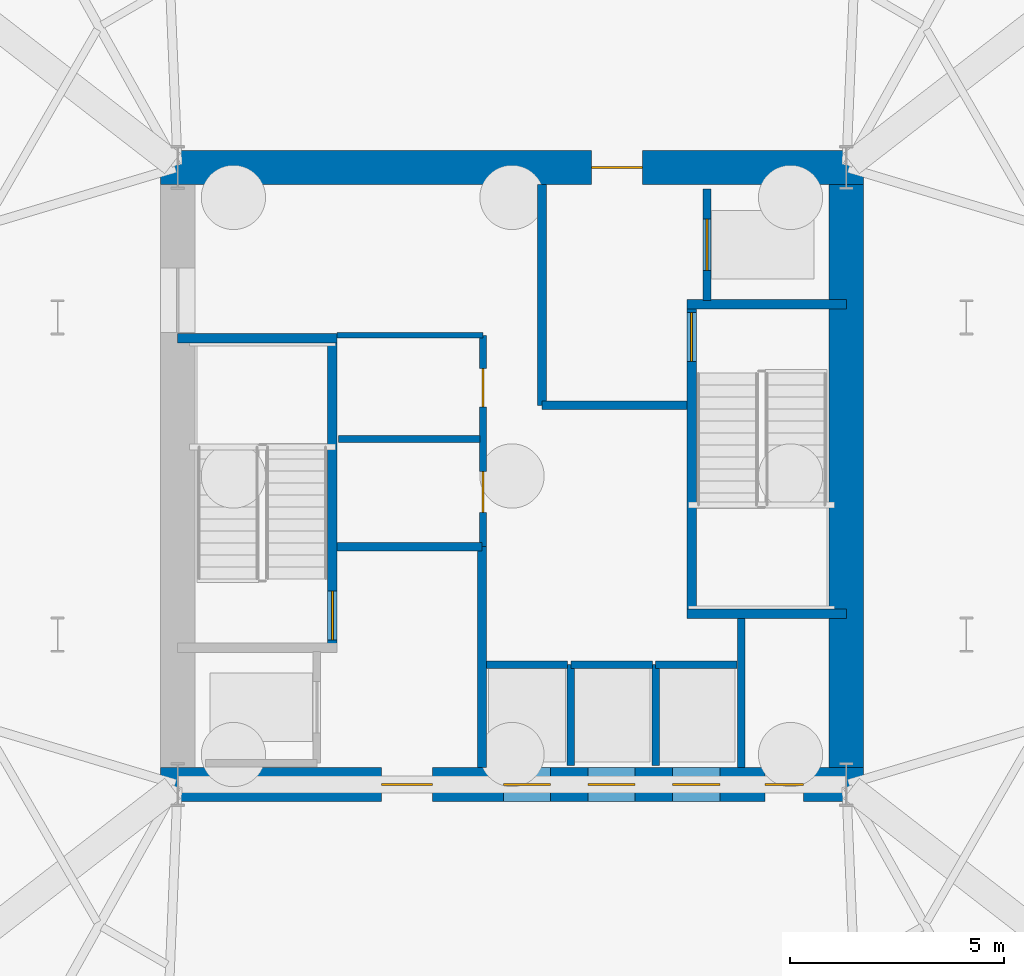
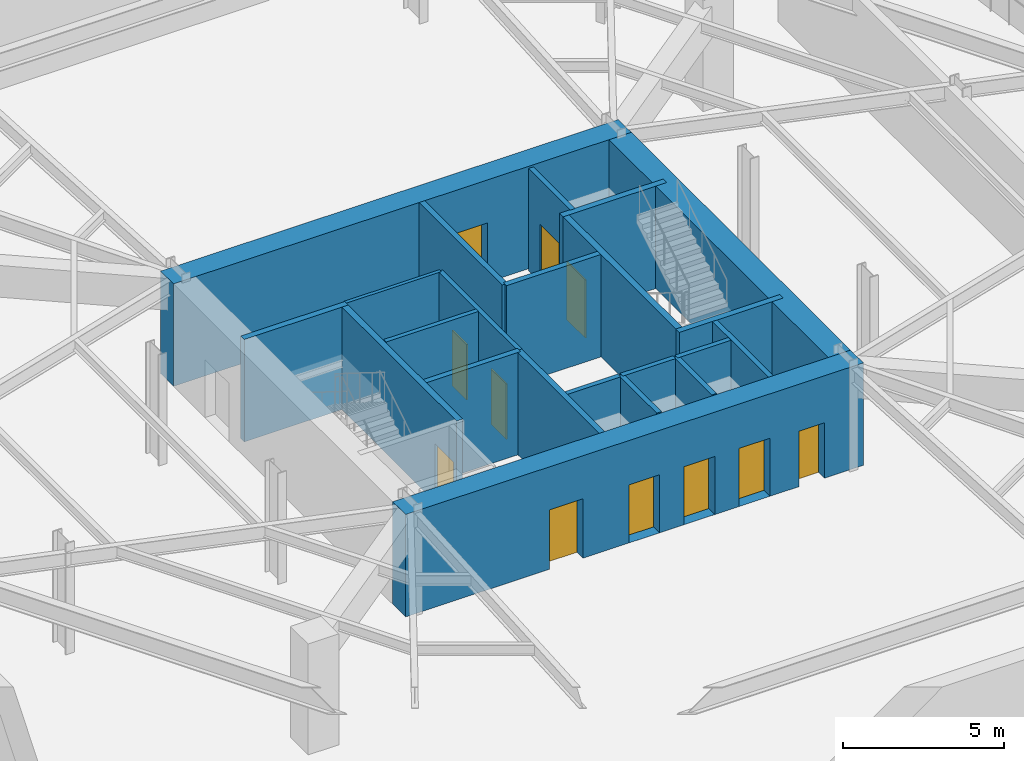
# One storey, part 13 of 18: 22 walls, 11 doors, 11 openings.
"""IFC4 building model written with IfcOpenShell, lengths in metres."""

from ifc_helpers import new_model, si_unit, direction, frame, frame_2d, origin, place, context, subcontext, project, spatial, rectangle, extrude, material, layer, layer_set, type_object, element, fill, save


model = new_model("IFC4")

# Units and contexts
model_context = context("Model", 3, precision=1e-05, world=origin(), true_north=direction((0.0, 1.0)))
body_context = subcontext(model_context, "Body", "Model", "MODEL_VIEW")
ifc_project = project(units=[si_unit("LENGTHUNIT", "METRE"), si_unit("AREAUNIT", "SQUARE_METRE"), si_unit("VOLUMEUNIT", "CUBIC_METRE"), si_unit("PLANEANGLEUNIT", "RADIAN"), si_unit("MASSUNIT", "GRAM", prefix="KILO")], contexts=[model_context])

# Site, building, storey
site_placement = place(None, origin())
site = spatial("IfcSite", under=ifc_project, at=site_placement, CompositionType="ELEMENT")
building_placement = place(site_placement, origin())
building = spatial("IfcBuilding", under=site, at=building_placement, Name="Kranzbogen Civic Tower", CompositionType="ELEMENT")
storey_placement = place(building_placement, frame((0.0, 0.0, -8.39990234375)))
storey = spatial("IfcBuildingStorey", under=building, at=storey_placement, Name="B02", CompositionType="ELEMENT", Elevation=-8.39990234375)

# Wall
ifc_material_1 = material(Name="Insulated Metal-Stud Gypsum Partition")
ifc_layer_1 = layer(ifc_material_1, 0.125, Name="Insulated Metal-Stud Gypsum Partition")
ifc_layer_set_1 = layer_set([ifc_layer_1], Name="Insulated Metal-Stud Gypsum Partition")
wall_type_1 = type_object("IfcWallType", Name="Acoustic Inter-Room Partition 125 mm", PredefinedType="PARTITIONING", material=ifc_layer_set_1)
wall_1_placement = place(storey_placement, frame((20.919921875, 28.280029296875, 0.0), z_axis=(0.0, 0.0, 1.0), x_axis=(1.0, 0.0, 0.0)))
element("IfcWall", 1, at=wall_1_placement, inside=storey, type_object=wall_type_1, Name="B02 core auxiliary North wall", PredefinedType="PARTITIONING", context=body_context, shape_type="SweptSolid", body=[
    extrude(rectangle(XDim=3.405029296875, YDim=0.125, at=frame_2d((1.70263671875, 0.0))), origin(), (0.0, 0.0, 1.0), 3.8798828125),
])

# Wall, openings, doors
ifc_material_2 = material(Name="Concrete C55/67", Category="concrete")
ifc_layer_2 = layer(ifc_material_2, 0.800048828125, Name="Concrete C55/67")
ifc_layer_set_2 = layer_set([ifc_layer_2], Name="Concrete C55/67")
wall_type_2 = type_object("IfcWallType", Name="Central Core Shear Wall 800 mm", PredefinedType="SHEAR", material=ifc_layer_set_2)
wall_2_placement = place(storey_placement, frame((16.800048828125, 17.800048828125, 0.0), z_axis=(0.0, 0.0, 1.0), x_axis=(1.0, 0.0, 0.0)))
wall_2 = element("IfcWall", 2, at=wall_2_placement, inside=storey, type_object=wall_type_2, Name="B02 central core South shear wall", PredefinedType="SHEAR", context=body_context, shape_type="SweptSolid", body=[
    extrude(rectangle(XDim=16.39990234375, YDim=0.800048828125, at=frame_2d((8.199951171875, 0.0))), origin(), (0.0, 0.0, 1.0), 3.8798828125),
])
opening_1_placement = place(wall_2_placement, frame((5.14990234375, 0.0, 0.0)))
opening_1 = element("IfcOpeningElement", 3, at=opening_1_placement, cuts=wall_2, Name="Opening D-EX120", PredefinedType="OPENING", context=body_context, shape_type="SweptSolid", body=[
    extrude(rectangle(XDim=1.199951171875, YDim=2.25, at=frame_2d((0.60009765625, 1.125))), frame((0.0, 0.41015625, 0.0), z_axis=(0.0, -1.0, 0.0), x_axis=(1.0, 0.0, 0.0)), (0.0, 0.0, 1.0), 0.820068359375),
])
opening_2_placement = place(wall_2_placement, frame((14.10009765625, 0.0, 0.0)))
opening_2 = element("IfcOpeningElement", 4, at=opening_2_placement, cuts=wall_2, Name="Opening D-WC90", PredefinedType="OPENING", context=body_context, shape_type="SweptSolid", body=[
    extrude(rectangle(XDim=0.89990234375, YDim=2.10009765625, at=frame_2d((0.449951171875, 1.050048828125))), frame((0.0, 0.41015625, 0.0), z_axis=(0.0, -1.0, 0.0), x_axis=(1.0, 0.0, 0.0)), (0.0, 0.0, 1.0), 0.820068359375),
])
opening_3_placement = place(wall_2_placement, frame((8.0, 0.0, 0.0)))
opening_3 = element("IfcOpeningElement", 5, at=opening_3_placement, cuts=wall_2, Name="Opening LD-LP-01", PredefinedType="OPENING", context=body_context, shape_type="SweptSolid", body=[
    extrude(rectangle(XDim=1.10009765625, YDim=2.199951171875, at=frame_2d((0.550048828125, 1.10009765625))), frame((0.0, 0.41015625, 0.0), z_axis=(0.0, -1.0, 0.0), x_axis=(1.0, 0.0, 0.0)), (0.0, 0.0, 1.0), 0.820068359375),
])
opening_4_placement = place(wall_2_placement, frame((9.97509765625, 0.0, 0.0)))
opening_4 = element("IfcOpeningElement", 6, at=opening_4_placement, cuts=wall_2, Name="Opening LD-LP-02", PredefinedType="OPENING", context=body_context, shape_type="SweptSolid", body=[
    extrude(rectangle(XDim=1.10009765625, YDim=2.199951171875, at=frame_2d((0.550048828125, 1.10009765625))), frame((0.0, 0.41015625, 0.0), z_axis=(0.0, -1.0, 0.0), x_axis=(1.0, 0.0, 0.0)), (0.0, 0.0, 1.0), 0.820068359375),
])
opening_5_placement = place(wall_2_placement, frame((11.949951171875, 0.0, 0.0)))
opening_5 = element("IfcOpeningElement", 7, at=opening_5_placement, cuts=wall_2, Name="Opening LD-LP-03", PredefinedType="OPENING", context=body_context, shape_type="SweptSolid", body=[
    extrude(rectangle(XDim=1.10009765625, YDim=2.199951171875, at=frame_2d((0.550048828125, 1.10009765625))), frame((0.0, 0.41015625, 0.0), z_axis=(0.0, -1.0, 0.0), x_axis=(1.0, 0.0, 0.0)), (0.0, 0.0, 1.0), 0.820068359375),
])
ifc_material_3 = material(Name="Steel S355", Category="steel")
door_type_1 = type_object("IfcDoorType", Name="Exit Passageway Fire Door 1200x2250", OperationType="NOTDEFINED", PredefinedType="DOOR", material=ifc_material_3)
door_1_placement = place(opening_1_placement, origin())
door_1 = element("IfcDoor", 8, at=door_1_placement, inside=storey, type_object=door_type_1, Name="B02 West firefighting lobby corridor door", OperationType="SINGLE_SWING_LEFT", OverallHeight=2.25, OverallWidth=1.199951171875, PredefinedType="DOOR", context=body_context, shape_type="SweptSolid", body=[
    extrude(rectangle(XDim=1.199951171875, YDim=2.25, at=frame_2d((0.60009765625, 1.125))), frame((0.0, 0.02490234375, 0.0), z_axis=(0.0, -1.0, 0.0), x_axis=(1.0, 0.0, 0.0)), (0.0, 0.0, 1.0), 0.050048828125),
])
fill(opening_1, door_1)
ifc_material_4 = material(Name="Pale Anodised Aluminium", Category="aluminium")
door_type_2 = type_object("IfcDoorType", Name="Passenger Lift Sliding Landing Door 1100x2200", OperationType="DOUBLE_DOOR_SLIDING", PredefinedType="DOOR", material=ifc_material_4)
door_2_placement = place(opening_3_placement, origin())
door_2 = element("IfcDoor", 9, at=door_2_placement, inside=storey, type_object=door_type_2, Name="B02 lift LP-01 sliding landing door", OperationType="DOUBLE_DOOR_SLIDING", OverallHeight=2.199951171875, OverallWidth=1.10009765625, PredefinedType="DOOR", context=body_context, shape_type="SweptSolid", body=[
    extrude(rectangle(XDim=1.10009765625, YDim=2.199951171875, at=frame_2d((0.550048828125, 1.10009765625))), frame((0.0, 0.02490234375, 0.0), z_axis=(0.0, -1.0, 0.0), x_axis=(1.0, 0.0, 0.0)), (0.0, 0.0, 1.0), 0.050048828125),
])
fill(opening_3, door_2)
door_3_placement = place(opening_4_placement, origin())
door_3 = element("IfcDoor", 10, at=door_3_placement, inside=storey, type_object=door_type_2, Name="B02 lift LP-02 sliding landing door", OperationType="DOUBLE_DOOR_SLIDING", OverallHeight=2.199951171875, OverallWidth=1.10009765625, PredefinedType="DOOR", context=body_context, shape_type="SweptSolid", body=[
    extrude(rectangle(XDim=1.10009765625, YDim=2.199951171875, at=frame_2d((0.550048828125, 1.10009765625))), frame((0.0, 0.02490234375, 0.0), z_axis=(0.0, -1.0, 0.0), x_axis=(1.0, 0.0, 0.0)), (0.0, 0.0, 1.0), 0.050048828125),
])
fill(opening_4, door_3)
door_4_placement = place(opening_5_placement, origin())
door_4 = element("IfcDoor", 11, at=door_4_placement, inside=storey, type_object=door_type_2, Name="B02 lift LP-03 sliding landing door", OperationType="DOUBLE_DOOR_SLIDING", OverallHeight=2.199951171875, OverallWidth=1.10009765625, PredefinedType="DOOR", context=body_context, shape_type="SweptSolid", body=[
    extrude(rectangle(XDim=1.10009765625, YDim=2.199951171875, at=frame_2d((0.550048828125, 1.10009765625))), frame((0.0, 0.02490234375, 0.0), z_axis=(0.0, -1.0, 0.0), x_axis=(1.0, 0.0, 0.0)), (0.0, 0.0, 1.0), 0.050048828125),
])
fill(opening_5, door_4)
ifc_material_5 = material(Name="Moisture-Resistant Laminate")
door_type_3 = type_object("IfcDoorType", Name="Standard Restroom and Store Door 900x2100", OperationType="NOTDEFINED", PredefinedType="DOOR", material=ifc_material_5)
door_5_placement = place(opening_2_placement, origin())
door_5 = element("IfcDoor", 12, at=door_5_placement, inside=storey, type_object=door_type_3, Name="B02 East electrical riser access door", OperationType="SINGLE_SWING_LEFT", OverallHeight=2.10009765625, OverallWidth=0.89990234375, PredefinedType="DOOR", context=body_context, shape_type="SweptSolid", body=[
    extrude(rectangle(XDim=0.89990234375, YDim=2.10009765625, at=frame_2d((0.449951171875, 1.050048828125))), frame((0.0, 0.02490234375, 0.0), z_axis=(0.0, -1.0, 0.0), x_axis=(1.0, 0.0, 0.0)), (0.0, 0.0, 1.0), 0.050048828125),
])
fill(opening_2, door_5)

# Wall, opening, door
wall_3_placement = place(storey_placement, frame((33.199951171875, 32.199951171875, 0.0), z_axis=(0.0, 0.0, 1.0), x_axis=(-1.0, 0.0, 0.0)))
wall_3 = element("IfcWall", 13, at=wall_3_placement, inside=storey, type_object=wall_type_2, Name="B02 central core North shear wall", PredefinedType="SHEAR", context=body_context, shape_type="SweptSolid", body=[
    extrude(rectangle(XDim=16.39990234375, YDim=0.800048828125, at=frame_2d((8.199951171875, 0.0))), origin(), (0.0, 0.0, 1.0), 3.8798828125),
])
opening_6_placement = place(wall_3_placement, frame((5.14990234375, 0.0, 0.0)))
opening_6 = element("IfcOpeningElement", 14, at=opening_6_placement, cuts=wall_3, Name="Opening D-EX120", PredefinedType="OPENING", context=body_context, shape_type="SweptSolid", body=[
    extrude(rectangle(XDim=1.199951171875, YDim=2.25, at=frame_2d((0.60009765625, 1.125))), frame((0.0, 0.41015625, 0.0), z_axis=(0.0, -1.0, 0.0), x_axis=(1.0, 0.0, 0.0)), (0.0, 0.0, 1.0), 0.820068359375),
])
door_6_placement = place(opening_6_placement, origin())
door_6 = element("IfcDoor", 15, at=door_6_placement, inside=storey, type_object=door_type_1, Name="B02 East firefighting lobby corridor door", OperationType="SINGLE_SWING_RIGHT", OverallHeight=2.25, OverallWidth=1.199951171875, PredefinedType="DOOR", context=body_context, shape_type="SweptSolid", body=[
    extrude(rectangle(XDim=1.199951171875, YDim=2.25, at=frame_2d((0.60009765625, 1.125))), frame((0.0, 0.02490234375, 0.0), z_axis=(0.0, -1.0, 0.0), x_axis=(1.0, 0.0, 0.0)), (0.0, 0.0, 1.0), 0.050048828125),
])
fill(opening_6, door_6)

# Wall
wall_4_placement = place(storey_placement, frame((32.800048828125, 18.199951171875, 0.0), z_axis=(0.0, 0.0, 1.0), x_axis=(0.0, 1.0, 0.0)))
element("IfcWall", 16, at=wall_4_placement, inside=storey, type_object=wall_type_2, Name="B02 central core East shear wall", PredefinedType="SHEAR", context=body_context, shape_type="SweptSolid", body=[
    extrude(rectangle(XDim=13.60009765625, YDim=0.800048828125, at=frame_2d((6.800048828125, 0.0))), origin(), (0.0, 0.0, 1.0), 3.8798828125),
])

# Wall, opening, door
ifc_material_6 = material(Name="Concrete C45/55", Category="concrete")
ifc_layer_3 = layer(ifc_material_6, 0.219970703125, Name="Concrete C45/55")
ifc_layer_set_3 = layer_set([ifc_layer_3], Name="Concrete C45/55")
wall_type_3 = type_object("IfcWallType", Name="Core Internal Stair Structural Wall 220 mm", PredefinedType="SOLIDWALL", material=ifc_layer_set_3)
wall_5_placement = place(storey_placement, frame((20.81005859375, 20.989990234375, 0.0), z_axis=(0.0, 0.0, 1.0), x_axis=(0.0, 1.0, 0.0)))
wall_5 = element("IfcWall", 17, at=wall_5_placement, inside=storey, type_object=wall_type_3, Name="B02 ST-T1 East structural stair wall", PredefinedType="SOLIDWALL", context=body_context, shape_type="SweptSolid", body=[
    extrude(rectangle(XDim=7.219970703125, YDim=0.219970703125, at=frame_2d((3.60986328125, 0.0))), origin(), (0.0, 0.0, 1.0), 3.8798828125),
])
opening_7_placement = place(wall_5_placement, frame((0.179931640625, 0.0, 0.0)))
opening_7 = element("IfcOpeningElement", 18, at=opening_7_placement, cuts=wall_5, Name="Opening D-ST90", PredefinedType="OPENING", context=body_context, shape_type="SweptSolid", body=[
    extrude(rectangle(XDim=1.14990234375, YDim=2.199951171875, at=frame_2d((0.574951171875, 1.10009765625))), frame((0.0, 0.1201171875, 0.0), z_axis=(0.0, -1.0, 0.0), x_axis=(1.0, 0.0, 0.0)), (0.0, 0.0, 1.0), 0.239990234375),
])
door_type_4 = type_object("IfcDoorType", Name="Pressurized Stair and Lobby Fire Door 1150x2200", OperationType="NOTDEFINED", PredefinedType="DOOR", material=ifc_material_3)
door_7_placement = place(opening_7_placement, origin())
door_7 = element("IfcDoor", 19, at=door_7_placement, inside=storey, type_object=door_type_4, Name="B02 Stair ST-T1 fire door", OperationType="SINGLE_SWING_LEFT", OverallHeight=2.199951171875, OverallWidth=1.14990234375, PredefinedType="DOOR", context=body_context, shape_type="SweptSolid", body=[
    extrude(rectangle(XDim=1.14990234375, YDim=2.199951171875, at=frame_2d((0.574951171875, 1.10009765625))), frame((0.0, 0.02490234375, 0.0), z_axis=(0.0, -1.0, 0.0), x_axis=(1.0, 0.0, 0.0)), (0.0, 0.0, 1.0), 0.050048828125),
])
fill(opening_7, door_7)

# Wall
wall_6_placement = place(storey_placement, frame((17.199951171875, 28.2099609375, 0.0), z_axis=(0.0, 0.0, 1.0), x_axis=(1.0, 0.0, 0.0)))
element("IfcWall", 20, at=wall_6_placement, inside=storey, type_object=wall_type_3, Name="B02 ST-T1 North structural stair wall", PredefinedType="SOLIDWALL", context=body_context, shape_type="SweptSolid", body=[
    extrude(rectangle(XDim=3.719970703125, YDim=0.219970703125, at=frame_2d((1.85986328125, 0.0))), origin(), (0.0, 0.0, 1.0), 3.8798828125),
])

# Wall, opening, door
wall_7_placement = place(storey_placement, frame((29.18994140625, 21.7900390625, 0.0), z_axis=(0.0, 0.0, 1.0), x_axis=(0.0, 1.0, 0.0)))
wall_7 = element("IfcWall", 21, at=wall_7_placement, inside=storey, type_object=wall_type_3, Name="B02 ST-T2 West structural stair wall", PredefinedType="SOLIDWALL", context=body_context, shape_type="SweptSolid", body=[
    extrude(rectangle(XDim=7.219970703125, YDim=0.219970703125, at=frame_2d((3.60986328125, 0.0))), origin(), (0.0, 0.0, 1.0), 3.8798828125),
])
opening_8_placement = place(wall_7_placement, frame((5.8798828125, 0.0, 0.0)))
opening_8 = element("IfcOpeningElement", 22, at=opening_8_placement, cuts=wall_7, Name="Opening D-ST90", PredefinedType="OPENING", context=body_context, shape_type="SweptSolid", body=[
    extrude(rectangle(XDim=1.14990234375, YDim=2.199951171875, at=frame_2d((0.574951171875, 1.10009765625))), frame((0.0, 0.1201171875, 0.0), z_axis=(0.0, -1.0, 0.0), x_axis=(1.0, 0.0, 0.0)), (0.0, 0.0, 1.0), 0.239990234375),
])
door_8_placement = place(opening_8_placement, origin())
door_8 = element("IfcDoor", 23, at=door_8_placement, inside=storey, type_object=door_type_4, Name="B02 Stair ST-T2 fire door", OperationType="SINGLE_SWING_RIGHT", OverallHeight=2.199951171875, OverallWidth=1.14990234375, PredefinedType="DOOR", context=body_context, shape_type="SweptSolid", body=[
    extrude(rectangle(XDim=1.14990234375, YDim=2.199951171875, at=frame_2d((0.574951171875, 1.10009765625))), frame((0.0, 0.02490234375, 0.0), z_axis=(0.0, -1.0, 0.0), x_axis=(1.0, 0.0, 0.0)), (0.0, 0.0, 1.0), 0.050048828125),
])
fill(opening_8, door_8)

# Walls
for number, where, z_axis, x_axis, name in (
    (24, (29.080078125, 21.7900390625, 0.0), (0.0, 0.0, 1.0), (1.0, 0.0, 0.0), "B02 ST-T2 South structural stair wall"),
    (25, (29.080078125, 29.010009765625, 0.0), (0.0, 0.0, 1.0), (1.0, 0.0, 0.0), "B02 ST-T2 North structural stair wall"),
):
    element("IfcWall", number, at=place(storey_placement, frame(where, z_axis=z_axis, x_axis=x_axis)), inside=storey, type_object=wall_type_3, Name=name, PredefinedType="SOLIDWALL", context=body_context, shape_type="SweptSolid", body=[
        extrude(rectangle(XDim=3.719970703125, YDim=0.219970703125, at=frame_2d((1.85986328125, 0.0))), origin(), (0.0, 0.0, 1.0), 3.8798828125),
    ])
ifc_material_7 = material(Name="Gypsum Fireboard and Concrete Block", Category="concrete")
ifc_layer_4 = layer(ifc_material_7, 0.199951171875, Name="Gypsum Fireboard and Concrete Block")
ifc_layer_set_4 = layer_set([ifc_layer_4], Name="Gypsum Fireboard and Concrete Block")
wall_type_4 = type_object("IfcWallType", Name="Fire-Rated Exit Passageway and Stair Wall 200 mm", PredefinedType="PARTITIONING", material=ifc_layer_set_4)
wall_8_placement = place(storey_placement, frame((24.300048828125, 18.199951171875, 0.0), z_axis=(0.0, 0.0, 1.0), x_axis=(0.0, 1.0, 0.0)))
element("IfcWall", 26, at=wall_8_placement, inside=storey, type_object=wall_type_4, Name="B02 West firefighting lobby East wall", PredefinedType="PARTITIONING", context=body_context, shape_type="SweptSolid", body=[
    extrude(rectangle(XDim=5.150146484375, YDim=0.199951171875, at=frame_2d((2.5751953125, 0.0))), origin(), (0.0, 0.0, 1.0), 3.8798828125),
])
wall_9_placement = place(storey_placement, frame((20.919921875, 23.35009765625, 0.0), z_axis=(0.0, 0.0, 1.0), x_axis=(1.0, 0.0, 0.0)))
element("IfcWall", 27, at=wall_9_placement, inside=storey, type_object=wall_type_4, Name="B02 West firefighting lobby North wall", PredefinedType="PARTITIONING", context=body_context, shape_type="SweptSolid", body=[
    extrude(rectangle(XDim=3.380126953125, YDim=0.199951171875, at=frame_2d((1.68994140625, 0.0))), origin(), (0.0, 0.0, 1.0), 3.8798828125),
])
wall_10_placement = place(storey_placement, frame((25.699951171875, 26.64990234375, 0.0), z_axis=(0.0, 0.0, 1.0), x_axis=(0.0, 1.0, 0.0)))
element("IfcWall", 28, at=wall_10_placement, inside=storey, type_object=wall_type_4, Name="B02 East firefighting lobby West wall", PredefinedType="PARTITIONING", context=body_context, shape_type="SweptSolid", body=[
    extrude(rectangle(XDim=5.150146484375, YDim=0.199951171875, at=frame_2d((2.5751953125, 0.0))), origin(), (0.0, 0.0, 1.0), 3.8798828125),
])
wall_11_placement = place(storey_placement, frame((25.699951171875, 26.64990234375, 0.0), z_axis=(0.0, 0.0, 1.0), x_axis=(1.0, 0.0, 0.0)))
element("IfcWall", 29, at=wall_11_placement, inside=storey, type_object=wall_type_4, Name="B02 East firefighting lobby South wall", PredefinedType="PARTITIONING", context=body_context, shape_type="SweptSolid", body=[
    extrude(rectangle(XDim=3.380126953125, YDim=0.199951171875, at=frame_2d((1.68994140625, 0.0))), origin(), (0.0, 0.0, 1.0), 3.8798828125),
])
ifc_material_8 = material(Name="Gypsum Fireboard Shaftliner")
ifc_layer_5 = layer(ifc_material_8, 0.175048828125, Name="Gypsum Fireboard Shaftliner")
ifc_layer_set_5 = layer_set([ifc_layer_5], Name="Gypsum Fireboard Shaftliner")
wall_type_5 = type_object("IfcWallType", Name="Fire-Rated Lift and Service Shaft Wall 175 mm", PredefinedType="PARTITIONING", material=ifc_layer_set_5)
wall_12_placement = place(storey_placement, frame((30.35009765625, 18.199951171875, 0.0), z_axis=(0.0, 0.0, 1.0), x_axis=(0.0, 1.0, 0.0)))
element("IfcWall", 30, at=wall_12_placement, inside=storey, type_object=wall_type_5, Name="B02 East core riser West wall", PredefinedType="PARTITIONING", context=body_context, shape_type="SweptSolid", body=[
    extrude(rectangle(XDim=3.47998046875, YDim=0.175048828125, at=frame_2d((1.739990234375, 0.0))), origin(), (0.0, 0.0, 1.0), 3.8798828125),
])
wall_13_placement = place(storey_placement, frame((24.39990234375, 20.60009765625, 0.0), z_axis=(0.0, 0.0, 1.0), x_axis=(1.0, 0.0, 0.0)))
element("IfcWall", 31, at=wall_13_placement, inside=storey, type_object=wall_type_5, Name="B02 lift LP-01 rear wall", PredefinedType="PARTITIONING", context=body_context, shape_type="SweptSolid", body=[
    extrude(rectangle(XDim=1.900146484375, YDim=0.175048828125, at=frame_2d((0.9501953125, 0.0))), origin(), (0.0, 0.0, 1.0), 3.8798828125),
])
wall_14_placement = place(storey_placement, frame((26.375, 20.60009765625, 0.0), z_axis=(0.0, 0.0, 1.0), x_axis=(1.0, 0.0, 0.0)))
element("IfcWall", 32, at=wall_14_placement, inside=storey, type_object=wall_type_5, Name="B02 lift LP-02 rear wall", PredefinedType="PARTITIONING", context=body_context, shape_type="SweptSolid", body=[
    extrude(rectangle(XDim=1.89990234375, YDim=0.175048828125, at=frame_2d((0.949951171875, 0.0))), origin(), (0.0, 0.0, 1.0), 3.8798828125),
])
wall_15_placement = place(storey_placement, frame((26.375, 18.25, 0.0), z_axis=(0.0, 0.0, 1.0), x_axis=(0.0, 1.0, 0.0)))
element("IfcWall", 33, at=wall_15_placement, inside=storey, type_object=wall_type_5, Name="B02 lift LP-02 side wall", PredefinedType="PARTITIONING", context=body_context, shape_type="SweptSolid", body=[
    extrude(rectangle(XDim=2.35009765625, YDim=0.175048828125, at=frame_2d((1.175048828125, 0.0))), origin(), (0.0, 0.0, 1.0), 3.8798828125),
])
wall_16_placement = place(storey_placement, frame((28.35009765625, 20.60009765625, 0.0), z_axis=(0.0, 0.0, 1.0), x_axis=(1.0, 0.0, 0.0)))
element("IfcWall", 34, at=wall_16_placement, inside=storey, type_object=wall_type_5, Name="B02 lift LP-03 rear wall", PredefinedType="PARTITIONING", context=body_context, shape_type="SweptSolid", body=[
    extrude(rectangle(XDim=1.89990234375, YDim=0.175048828125, at=frame_2d((0.949951171875, 0.0))), origin(), (0.0, 0.0, 1.0), 3.8798828125),
])
wall_17_placement = place(storey_placement, frame((28.35009765625, 18.25, 0.0), z_axis=(0.0, 0.0, 1.0), x_axis=(0.0, 1.0, 0.0)))
element("IfcWall", 35, at=wall_17_placement, inside=storey, type_object=wall_type_5, Name="B02 lift LP-03 side wall", PredefinedType="PARTITIONING", context=body_context, shape_type="SweptSolid", body=[
    extrude(rectangle(XDim=2.35009765625, YDim=0.175048828125, at=frame_2d((1.175048828125, 0.0))), origin(), (0.0, 0.0, 1.0), 3.8798828125),
])

# Wall, opening, door
wall_18_placement = place(storey_placement, frame((29.550048828125, 29.10009765625, 0.0), z_axis=(0.0, 0.0, 1.0), x_axis=(0.0, 1.0, 0.0)))
wall_18 = element("IfcWall", 36, at=wall_18_placement, inside=storey, type_object=wall_type_5, Name="B02 lift FF-02 landing wall", PredefinedType="PARTITIONING", context=body_context, shape_type="SweptSolid", body=[
    extrude(rectangle(XDim=2.599853515625, YDim=0.175048828125, at=frame_2d((1.2998046875, 0.0))), origin(), (0.0, 0.0, 1.0), 3.8798828125),
])
opening_9_placement = place(wall_18_placement, frame((0.699951171875, 0.0, 0.0)))
opening_9 = element("IfcOpeningElement", 37, at=opening_9_placement, cuts=wall_18, Name="Opening LD-FF-02", PredefinedType="OPENING", context=body_context, shape_type="SweptSolid", body=[
    extrude(rectangle(XDim=1.199951171875, YDim=2.199951171875, at=frame_2d((0.60009765625, 1.10009765625))), frame((0.0, 0.09765625, 0.0), z_axis=(0.0, -1.0, 0.0), x_axis=(1.0, 0.0, 0.0)), (0.0, 0.0, 1.0), 0.195068359375),
])
door_type_5 = type_object("IfcDoorType", Name="Firefighting and Stretcher Lift Sliding Landing Door 1200x2200", OperationType="DOUBLE_DOOR_SLIDING", PredefinedType="DOOR", material=ifc_material_4)
door_9_placement = place(opening_9_placement, origin())
door_9 = element("IfcDoor", 38, at=door_9_placement, inside=storey, type_object=door_type_5, Name="B02 lift FF-02 sliding landing door", OperationType="DOUBLE_DOOR_SLIDING", OverallHeight=2.199951171875, OverallWidth=1.199951171875, PredefinedType="DOOR", context=body_context, shape_type="SweptSolid", body=[
    extrude(rectangle(XDim=1.199951171875, YDim=2.199951171875, at=frame_2d((0.60009765625, 1.10009765625))), frame((0.0, 0.02490234375, 0.0), z_axis=(0.0, -1.0, 0.0), x_axis=(1.0, 0.0, 0.0)), (0.0, 0.0, 1.0), 0.050048828125),
])
fill(opening_9, door_9)

# Wall, openings, doors
ifc_material_9 = material(Name="Moisture-Resistant Gypsum Assembly")
ifc_layer_6 = layer(ifc_material_9, 0.159912109375, Name="Moisture-Resistant Gypsum Assembly")
ifc_layer_set_6 = layer_set([ifc_layer_6], Name="Moisture-Resistant Gypsum Assembly")
wall_type_6 = type_object("IfcWallType", Name="Sanitary and Plumbing Wet Wall 160 mm", PredefinedType="PLUMBINGWALL", material=ifc_layer_set_6)
wall_19_placement = place(storey_placement, frame((24.324951171875, 23.35009765625, 0.0), z_axis=(0.0, 0.0, 1.0), x_axis=(0.0, 1.0, 0.0)))
wall_19 = element("IfcWall", 39, at=wall_19_placement, inside=storey, type_object=wall_type_6, Name="B02 core auxiliary East wall", PredefinedType="PLUMBINGWALL", context=body_context, shape_type="SweptSolid", body=[
    extrude(rectangle(XDim=4.929931640625, YDim=0.159912109375, at=frame_2d((2.46484375, 0.0))), origin(), (0.0, 0.0, 1.0), 3.8798828125),
])
opening_10_placement = place(wall_19_placement, frame((0.800048828125, 0.0, 0.0)))
opening_10 = element("IfcOpeningElement", 40, at=opening_10_placement, cuts=wall_19, Name="Opening D-AWC95", PredefinedType="OPENING", context=body_context, shape_type="SweptSolid", body=[
    extrude(rectangle(XDim=0.949951171875, YDim=2.10009765625, at=frame_2d((0.47509765625, 1.050048828125))), frame((0.0, 0.08984375, 0.0), z_axis=(0.0, -1.0, 0.0), x_axis=(1.0, 0.0, 0.0)), (0.0, 0.0, 1.0), 0.179931640625),
])
opening_11_placement = place(wall_19_placement, frame((3.260009765625, 0.0, 0.0)))
opening_11 = element("IfcOpeningElement", 41, at=opening_11_placement, cuts=wall_19, Name="Opening D-WC90", PredefinedType="OPENING", context=body_context, shape_type="SweptSolid", body=[
    extrude(rectangle(XDim=0.89990234375, YDim=2.10009765625, at=frame_2d((0.449951171875, 1.050048828125))), frame((0.0, 0.08984375, 0.0), z_axis=(0.0, -1.0, 0.0), x_axis=(1.0, 0.0, 0.0)), (0.0, 0.0, 1.0), 0.179931640625),
])
door_type_6 = type_object("IfcDoorType", Name="Accessible Restroom Door 950x2100", OperationType="NOTDEFINED", PredefinedType="DOOR", material=ifc_material_5)
door_10_placement = place(opening_10_placement, origin())
door_10 = element("IfcDoor", 42, at=door_10_placement, inside=storey, type_object=door_type_6, Name="B02 Accessible Restroom door", OperationType="SINGLE_SWING_LEFT", OverallHeight=2.10009765625, OverallWidth=0.949951171875, PredefinedType="DOOR", context=body_context, shape_type="SweptSolid", body=[
    extrude(rectangle(XDim=0.949951171875, YDim=2.10009765625, at=frame_2d((0.47509765625, 1.050048828125))), frame((0.0, 0.02490234375, 0.0), z_axis=(0.0, -1.0, 0.0), x_axis=(1.0, 0.0, 0.0)), (0.0, 0.0, 1.0), 0.050048828125),
])
fill(opening_10, door_10)
door_11_placement = place(opening_11_placement, origin())
door_11 = element("IfcDoor", 43, at=door_11_placement, inside=storey, type_object=door_type_3, Name="B02 Staff Restroom door", OperationType="SINGLE_SWING_RIGHT", OverallHeight=2.10009765625, OverallWidth=0.89990234375, PredefinedType="DOOR", context=body_context, shape_type="SweptSolid", body=[
    extrude(rectangle(XDim=0.89990234375, YDim=2.10009765625, at=frame_2d((0.449951171875, 1.050048828125))), frame((0.0, 0.02490234375, 0.0), z_axis=(0.0, -1.0, 0.0), x_axis=(1.0, 0.0, 0.0)), (0.0, 0.0, 1.0), 0.050048828125),
])
fill(opening_11, door_11)

# Wall
wall_20_placement = place(storey_placement, frame((20.949951171875, 25.860107421875, 0.0), z_axis=(0.0, 0.0, 1.0), x_axis=(1.0, 0.0, 0.0)))
element("IfcWall", 44, at=wall_20_placement, inside=storey, type_object=wall_type_6, Name="B02 core auxiliary partition 1", PredefinedType="PLUMBINGWALL", context=body_context, shape_type="SweptSolid", body=[
    extrude(rectangle(XDim=3.300048828125, YDim=0.159912109375, at=frame_2d((1.64990234375, 0.0))), origin(), (0.0, 0.0, 1.0), 3.8798828125),
])

save(model, "model.ifc")
